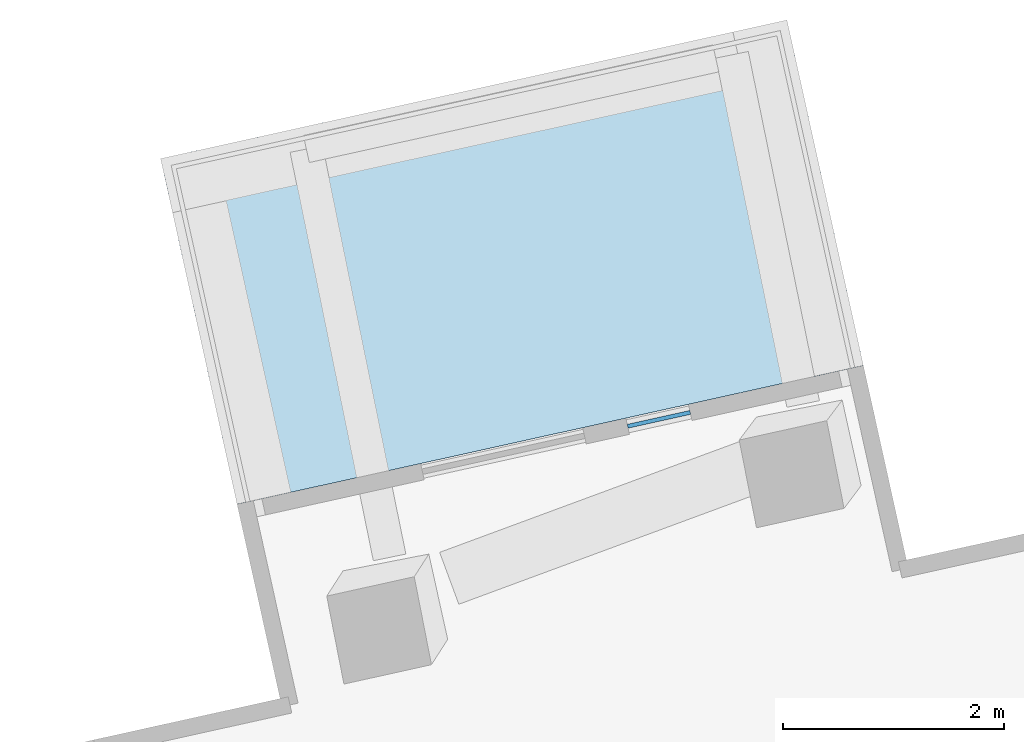
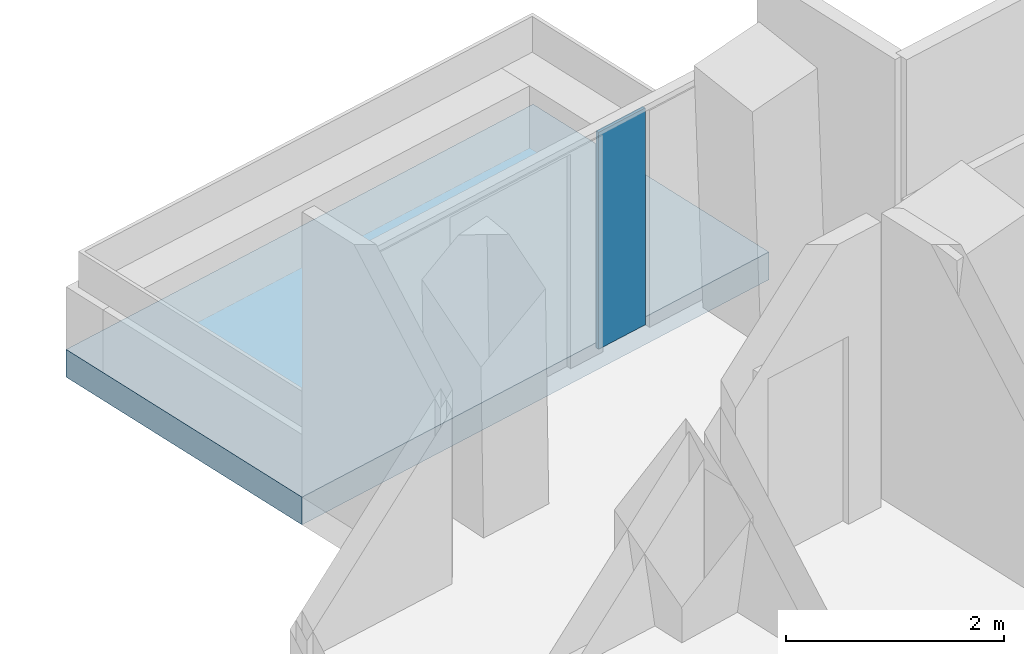
# One storey, part 15 of 24: 1 plate, 1 slab, 1 element without a shape of its own.
"""IFC4 building model written with IfcOpenShell, lengths in metres."""

from ifc_helpers import new_model, si_unit, direction, frame, origin, origin_2d, place, context, subcontext, project, spatial, polyline, rectangle, outline, extrude, material, layer, layer_set, type_object, element, aggregate, save


model = new_model("IFC4")

# Units and contexts
model_context = context("Model", 3, precision=1e-05, world=origin(), true_north=direction((0.0, 1.0)))
body_context = subcontext(model_context, "Body", "Model", "MODEL_VIEW")
ifc_project = project(units=[si_unit("LENGTHUNIT", "METRE"), si_unit("AREAUNIT", "SQUARE_METRE"), si_unit("VOLUMEUNIT", "CUBIC_METRE"), si_unit("PLANEANGLEUNIT", "RADIAN"), si_unit("MASSUNIT", "GRAM", prefix="KILO")], contexts=[model_context])

# Site, building, storey
site_placement = place(None, origin())
site = spatial("IfcSite", under=ifc_project, at=site_placement, CompositionType="ELEMENT")
building_placement = place(site_placement, origin())
building = spatial("IfcBuilding", under=site, at=building_placement, Name="Verdalira Terraces Hotel", CompositionType="ELEMENT")
storey_placement = place(building_placement, frame((0.0, 0.0, 86.0)))
storey = spatial("IfcBuildingStorey", under=building, at=storey_placement, Name="L19", CompositionType="ELEMENT", Elevation=86.0)

# Slab
ifc_material_1 = material(Name="Precast concrete C40/50", Category="concrete")
ifc_layer_1 = layer(ifc_material_1, 0.31005859375)
ifc_layer_set_1 = layer_set([ifc_layer_1], Name="Balcony deck 310")
slab_type = type_object("IfcSlabType", Name="Balcony deck 310", PredefinedType="FLOOR", material=ifc_layer_set_1)
slab_placement = place(storey_placement, frame((0.0, 0.0, -0.310059)))
element("IfcSlab", 1, at=slab_placement, inside=storey, type_object=slab_type, Name="Balcony deck", PredefinedType="FLOOR", context=body_context, shape_type="SweptSolid", body=[
    extrude(outline(polyline([(-11.139893, 36.911865), (-10.448242, 33.787598), (-4.7854, 35.040771), (-5.476807, 38.165283), (-11.139893, 36.911865)])), origin(), (0.0, 0.0, 1.0), 0.310059),
])

# Curtain wall, plate
ifc_material_2 = material(Name="Clear glass", Category="glass")
ifc_layer_2 = layer(ifc_material_2, 0.14990234375)
ifc_layer_set_2 = layer_set([ifc_layer_2], Name="CW3 curtain wall")
curtain_wall_type = type_object("IfcCurtainWallType", Name="CW3 curtain wall", PredefinedType="NOTDEFINED", material=ifc_layer_set_2)
curtain_wall_placement = place(storey_placement, origin())
curtain_wall = element("IfcCurtainWall", 2, at=curtain_wall_placement, inside=storey, type_object=curtain_wall_type, Name="CW3 curtain wall L19 edge 5", PredefinedType="NOTDEFINED")
ifc_material_3 = material(Name="Clear glass", Category="glass")
ifc_layer_3 = layer(ifc_material_3, 0.035888671875)
ifc_layer_set_3 = layer_set([ifc_layer_3], Name="CW3 glass unit 36")
plate_type = type_object("IfcPlateType", Name="CW3 glass unit 36", PredefinedType="CURTAIN_PANEL", material=ifc_layer_set_3)
plate_placement = place(storey_placement, frame((-6.634277, 34.554932, 0.0), z_axis=(0.0, 0.0, 1.0), x_axis=(-0.976371499, -0.216098809, 0.0)))
plate = element("IfcPlate", 3, at=plate_placement, type_object=plate_type, Name="CW3 glass unit", PredefinedType="CURTAIN_PANEL", context=body_context, shape_type="SweptSolid", body=[
    extrude(rectangle(XDim=0.579346, YDim=0.035889, at=origin_2d()), origin(), (0.0, 0.0, 1.0), 2.425049),
])
aggregate(curtain_wall, [plate])

save(model, "model.ifc")
